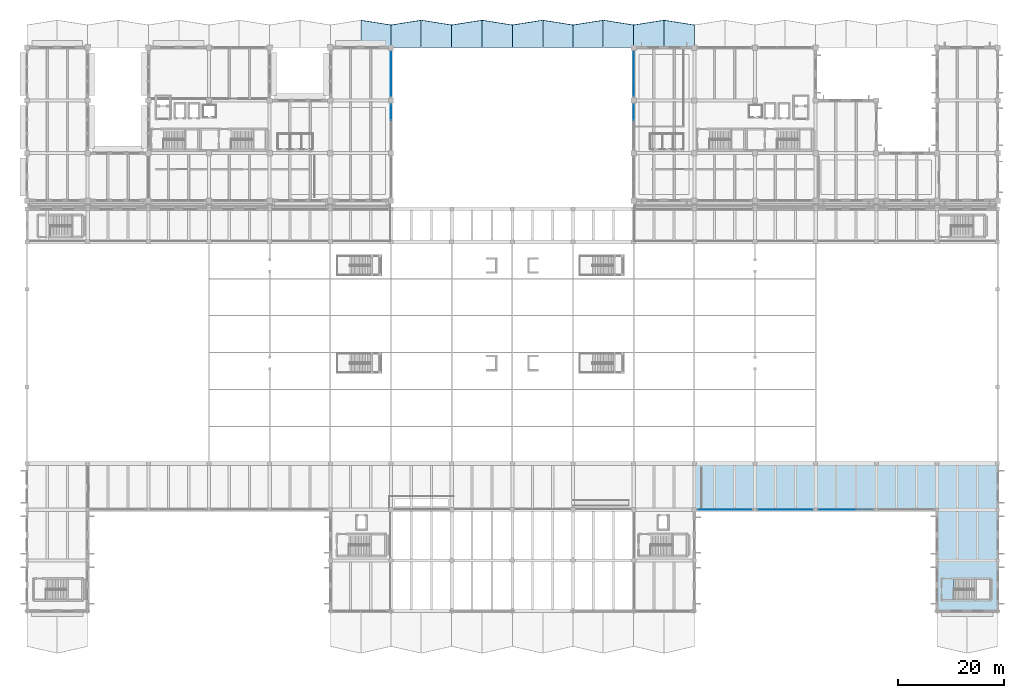
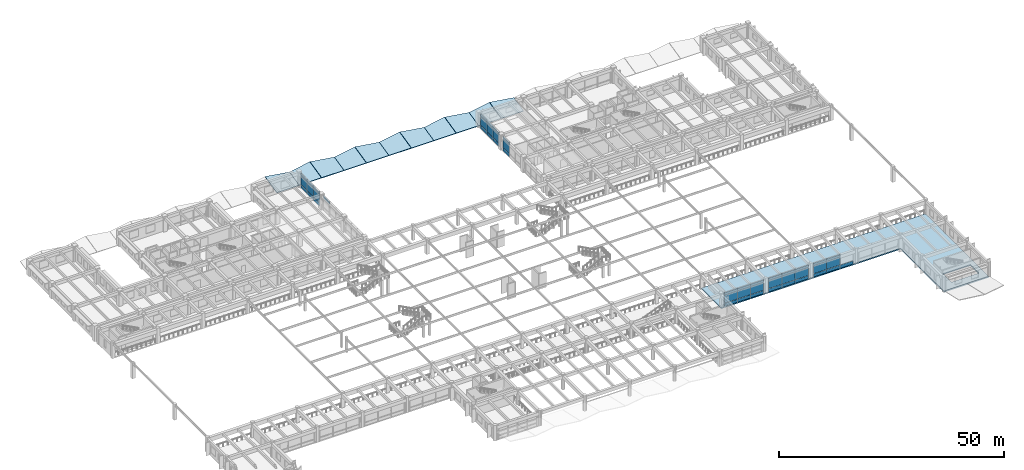
# One storey, part 67 of 98: 47 plates, 12 slabs, 7 elements without a shape of their own.
"""IFC4 building model written with IfcOpenShell, lengths in metres."""

from ifc_helpers import new_model, si_unit, direction, frame, origin, origin_2d, place, context, subcontext, project, spatial, polyline, rectangle, outline, extrude, material, layer, layer_set, type_object, element, aggregate, save


model = new_model("IFC4")

# Units and contexts
model_context = context("Model", 3, precision=1e-05, world=origin(), true_north=direction((0.0, 1.0)))
body_context = subcontext(model_context, "Body", "Model", "MODEL_VIEW")
ifc_project = project(units=[si_unit("LENGTHUNIT", "METRE"), si_unit("AREAUNIT", "SQUARE_METRE"), si_unit("VOLUMEUNIT", "CUBIC_METRE"), si_unit("PLANEANGLEUNIT", "RADIAN"), si_unit("MASSUNIT", "GRAM", prefix="KILO")], contexts=[model_context])

# Site, building, storey
site_placement = place(None, origin())
site = spatial("IfcSite", under=ifc_project, at=site_placement, CompositionType="ELEMENT")
building_placement = place(site_placement, origin())
building = spatial("IfcBuilding", under=site, at=building_placement, Name="Ologun Quay Terminus", CompositionType="ELEMENT")
storey_placement = place(building_placement, frame((0.0, 0.0, 4.199951171875)))
storey = spatial("IfcBuildingStorey", under=building, at=storey_placement, Name="L01", CompositionType="ELEMENT", Elevation=4.199951171875)

# Curtain wall, plates
ifc_material_1 = material(Name="Aluminium 6063-T6", Category="aluminium")
curtain_wall_type_1 = type_object("IfcCurtainWallType", Name="Rain-Garden West Courtyard Curtain Wall L01 8200x3850", PredefinedType="USERDEFINED", material=ifc_material_1)
curtain_wall_1_placement = place(storey_placement, origin())
curtain_wall_1 = element("IfcCurtainWall", 1, at=curtain_wall_1_placement, inside=storey, type_object=curtain_wall_type_1, Name="CW-14 Curtain Wall CW-L01-101", ObjectType="UNITISED CURTAIN WALL", PredefinedType="USERDEFINED")
ifc_material_2 = material(Name="Aluminium 6063-T6", Category="aluminium")
ifc_layer_1 = layer(ifc_material_2, 0.06005859375)
ifc_layer_set_1 = layer_set([ifc_layer_1], Name="Aluminium 6063-T6")
plate_type_1 = type_object("IfcPlateType", Name="Anodised Bronze Spandrel Panel 60", PredefinedType="CURTAIN_PANEL", material=ifc_layer_set_1)
plate_1_placement = place(storey_placement, frame((69.0, 107.046630859375, 0.02978515625), z_axis=(0.0, 0.0, 1.0), x_axis=(0.0, 1.0, 0.0)))
plate_1 = element("IfcPlate", 2, at=plate_1_placement, type_object=plate_type_1, Name="CW-L01-101 Panel B1-1", PredefinedType="CURTAIN_PANEL", context=body_context, shape_type="SweptSolid", body=[
    extrude(rectangle(XDim=2.75341796875, YDim=0.06005859375, at=origin_2d()), origin(), (0.0, 0.0, 1.0), 0.840087890625),
])
plate_2_placement = place(storey_placement, frame((69.0, 109.800048828125, 0.02978515625), z_axis=(0.0, 0.0, 1.0), x_axis=(0.0, 1.0, 0.0)))
plate_2 = element("IfcPlate", 3, at=plate_2_placement, type_object=plate_type_1, Name="CW-L01-101 Panel B2-1", PredefinedType="CURTAIN_PANEL", context=body_context, shape_type="SweptSolid", body=[
    extrude(rectangle(XDim=2.75341796875, YDim=0.06005859375, at=origin_2d()), origin(), (0.0, 0.0, 1.0), 0.840087890625),
])
plate_3_placement = place(storey_placement, frame((69.0, 112.55322265625, 0.02978515625), z_axis=(0.0, 0.0, 1.0), x_axis=(0.0, 1.0, 0.0)))
plate_3 = element("IfcPlate", 4, at=plate_3_placement, type_object=plate_type_1, Name="CW-L01-101 Panel B3-1", PredefinedType="CURTAIN_PANEL", context=body_context, shape_type="SweptSolid", body=[
    extrude(rectangle(XDim=2.75341796875, YDim=0.06005859375, at=origin_2d()), origin(), (0.0, 0.0, 1.0), 0.840087890625),
])

# Slabs
ifc_material_3 = material(Name="Concrete C45/55", Category="concrete")
ifc_layer_2 = layer(ifc_material_3, 0.179931640625)
ifc_layer_set_2 = layer_set([ifc_layer_2], Name="Concrete C45/55")
slab_type_1 = type_object("IfcSlabType", Name="Folded Plate Concrete Canopy Slab 180", PredefinedType="ROOF", material=ifc_layer_set_2)
slab_1_placement = place(storey_placement, frame((63.280029296875, 114.800048828125, 0.199951171875), z_axis=(5.421977e-06, -0.224890596449, 0.974384020599), x_axis=(0.999999999985, 1.219352e-06, -5.283088e-06)))
element("IfcSlab", 5, at=slab_1_placement, inside=storey, type_object=slab_type_1, Name="SL-CNP Harbour Colonnade Canopy Bay 6E", PredefinedType="ROOF", context=body_context, shape_type="SweptSolid", body=[
    extrude(outline(polyline([(0.0, 0.0), (5.719970703040922, -1.2112509107190553e-21), (5.719970703209078, 4.413087409581979), (-1.6815478267274492e-10, 5.336661969533888), (0.0, 0.0)])), origin(), (0.0, 0.0, -1.0), 0.179931640625),
])
slab_2_placement = place(storey_placement, frame((69.0, 114.800048828125, 0.199951171875), z_axis=(-5.421977e-06, -0.224890596449, 0.974384020599), x_axis=(0.999999999985, -1.219352e-06, 5.283088e-06)))
element("IfcSlab", 6, at=slab_2_placement, inside=storey, type_object=slab_type_1, Name="SL-CNP Harbour Colonnade Canopy Bay 7W", PredefinedType="ROOF", context=body_context, shape_type="SweptSolid", body=[
    extrude(outline(polyline([(0.0, 0.0), (5.719970703040922, 1.2112509107190553e-21), (5.719970703209077, 5.336661969533888), (-1.6815478267274492e-10, 4.413087409581979), (0.0, 0.0)])), origin(), (0.0, 0.0, -1.0), 0.179931640625),
])
slab_3_placement = place(storey_placement, frame((74.780029296875, 114.800048828125, 0.199951171875), z_axis=(5.421977e-06, -0.224890596449, 0.974384020599), x_axis=(0.999999999985, 1.219352e-06, -5.283088e-06)))
element("IfcSlab", 7, at=slab_3_placement, inside=storey, type_object=slab_type_1, Name="SL-CNP Harbour Colonnade Canopy Bay 7E", PredefinedType="ROOF", context=body_context, shape_type="SweptSolid", body=[
    extrude(outline(polyline([(0.0, 0.0), (5.719970703040922, -1.2112509107190553e-21), (5.719970703209078, 4.413087409581979), (-1.6815478267274492e-10, 5.336661969533888), (0.0, 0.0)])), origin(), (0.0, 0.0, -1.0), 0.179931640625),
])
slab_4_placement = place(storey_placement, frame((80.5, 114.800048828125, 0.199951171875), z_axis=(-5.421977e-06, -0.224890596449, 0.974384020599), x_axis=(0.999999999985, -1.219352e-06, 5.283088e-06)))
element("IfcSlab", 8, at=slab_4_placement, inside=storey, type_object=slab_type_1, Name="SL-CNP Harbour Colonnade Canopy Bay 8W", PredefinedType="ROOF", context=body_context, shape_type="SweptSolid", body=[
    extrude(outline(polyline([(0.0, 0.0), (5.719970703040922, 1.2112509107190553e-21), (5.719970703209077, 5.336661969533888), (-1.6815478267274492e-10, 4.413087409581979), (0.0, 0.0)])), origin(), (0.0, 0.0, -1.0), 0.179931640625),
])
slab_5_placement = place(storey_placement, frame((86.280029296875, 114.800048828125, 0.199951171875), z_axis=(5.421977e-06, -0.224890596449, 0.974384020599), x_axis=(0.999999999985, 1.219352e-06, -5.283088e-06)))
element("IfcSlab", 9, at=slab_5_placement, inside=storey, type_object=slab_type_1, Name="SL-CNP Harbour Colonnade Canopy Bay 8E", PredefinedType="ROOF", context=body_context, shape_type="SweptSolid", body=[
    extrude(outline(polyline([(0.0, 0.0), (5.719970703040922, -1.2112509107190553e-21), (5.719970703209078, 4.413087409581979), (-1.6815478267274492e-10, 5.336661969533888), (0.0, 0.0)])), origin(), (0.0, 0.0, -1.0), 0.179931640625),
])
slab_6_placement = place(storey_placement, frame((92.0, 114.800048828125, 0.199951171875), z_axis=(-5.421977e-06, -0.224890596449, 0.974384020599), x_axis=(0.999999999985, -1.219352e-06, 5.283088e-06)))
element("IfcSlab", 10, at=slab_6_placement, inside=storey, type_object=slab_type_1, Name="SL-CNP Harbour Colonnade Canopy Bay 9W", PredefinedType="ROOF", context=body_context, shape_type="SweptSolid", body=[
    extrude(outline(polyline([(0.0, 0.0), (5.719970703040922, 1.2112509107190553e-21), (5.719970703209077, 5.336661969533888), (-1.6815478267274492e-10, 4.413087409581979), (0.0, 0.0)])), origin(), (0.0, 0.0, -1.0), 0.179931640625),
])
slab_7_placement = place(storey_placement, frame((97.780029296875, 114.800048828125, 0.199951171875), z_axis=(5.421977e-06, -0.224890596449, 0.974384020599), x_axis=(0.999999999985, 1.219352e-06, -5.283088e-06)))
element("IfcSlab", 11, at=slab_7_placement, inside=storey, type_object=slab_type_1, Name="SL-CNP Harbour Colonnade Canopy Bay 9E", PredefinedType="ROOF", context=body_context, shape_type="SweptSolid", body=[
    extrude(outline(polyline([(0.0, 0.0), (5.719970703040922, -1.2112509107190553e-21), (5.719970703209078, 4.413087409581979), (-1.6815478267274492e-10, 5.336661969533888), (0.0, 0.0)])), origin(), (0.0, 0.0, -1.0), 0.179931640625),
])
slab_8_placement = place(storey_placement, frame((103.5, 114.800048828125, 0.199951171875), z_axis=(-5.421977e-06, -0.224890596449, 0.974384020599), x_axis=(0.999999999985, -1.219352e-06, 5.283088e-06)))
element("IfcSlab", 12, at=slab_8_placement, inside=storey, type_object=slab_type_1, Name="SL-CNP Harbour Colonnade Canopy Bay 10W", PredefinedType="ROOF", context=body_context, shape_type="SweptSolid", body=[
    extrude(outline(polyline([(0.0, 0.0), (5.719970703040922, 1.2112509107190553e-21), (5.719970703209077, 5.336661969533888), (-1.6815478267274492e-10, 4.413087409581979), (0.0, 0.0)])), origin(), (0.0, 0.0, -1.0), 0.179931640625),
])
slab_9_placement = place(storey_placement, frame((109.280029296875, 114.800048828125, 0.199951171875), z_axis=(5.421977e-06, -0.224890596449, 0.974384020599), x_axis=(0.999999999985, 1.219352e-06, -5.283088e-06)))
element("IfcSlab", 13, at=slab_9_placement, inside=storey, type_object=slab_type_1, Name="SL-CNP Harbour Colonnade Canopy Bay 10E", PredefinedType="ROOF", context=body_context, shape_type="SweptSolid", body=[
    extrude(outline(polyline([(0.0, 0.0), (5.719970703040922, -1.2112509107190553e-21), (5.719970703209078, 4.413087409581979), (-1.6815478267274492e-10, 5.336661969533888), (0.0, 0.0)])), origin(), (0.0, 0.0, -1.0), 0.179931640625),
])
slab_10_placement = place(storey_placement, frame((115.0, 114.800048828125, 0.199951171875), z_axis=(-5.421977e-06, -0.224890596449, 0.974384020599), x_axis=(0.999999999985, -1.219352e-06, 5.283088e-06)))
element("IfcSlab", 14, at=slab_10_placement, inside=storey, type_object=slab_type_1, Name="SL-CNP Harbour Colonnade Canopy Bay 11W", PredefinedType="ROOF", context=body_context, shape_type="SweptSolid", body=[
    extrude(outline(polyline([(0.0, 0.0), (5.719970703040922, 1.2112509107190553e-21), (5.719970703209077, 5.336661969533888), (-1.6815478267274492e-10, 4.413087409581979), (0.0, 0.0)])), origin(), (0.0, 0.0, -1.0), 0.179931640625),
])
slab_11_placement = place(storey_placement, frame((120.780029296875, 114.800048828125, 0.199951171875), z_axis=(5.421977e-06, -0.224890596449, 0.974384020599), x_axis=(0.999999999985, 1.219352e-06, -5.283088e-06)))
element("IfcSlab", 15, at=slab_11_placement, inside=storey, type_object=slab_type_1, Name="SL-CNP Harbour Colonnade Canopy Bay 11E", PredefinedType="ROOF", context=body_context, shape_type="SweptSolid", body=[
    extrude(outline(polyline([(0.0, 0.0), (5.719970703040922, -1.2112509107190553e-21), (5.719970703209078, 4.413087409581979), (-1.6815478267274492e-10, 5.336661969533888), (0.0, 0.0)])), origin(), (0.0, 0.0, -1.0), 0.179931640625),
])

# Curtain wall, plate
curtain_wall_2_placement = place(storey_placement, origin())
curtain_wall_2 = element("IfcCurtainWall", 16, at=curtain_wall_2_placement, inside=storey, type_object=curtain_wall_type_1, Name="CW-14 Curtain Wall CW-L01-100", ObjectType="UNITISED CURTAIN WALL", PredefinedType="USERDEFINED")
ifc_material_4 = material(Name="Glass", Category="glass")
ifc_layer_3 = layer(ifc_material_4, 0.035888671875)
ifc_layer_set_3 = layer_set([ifc_layer_3], Name="Glass")
plate_type_2 = type_object("IfcPlateType", Name="High-Selectivity Harbour Glazed Panel 36", PredefinedType="CURTAIN_PANEL", material=ifc_layer_set_3)
plate_4_placement = place(storey_placement, frame((69.0, 102.55322265625, 3.26025390625), z_axis=(0.0, 0.0, 1.0), x_axis=(0.0, 1.0, 0.0)))
plate_4 = element("IfcPlate", 17, at=plate_4_placement, type_object=plate_type_2, Name="CW-L01-100 Panel B3-3", PredefinedType="CURTAIN_PANEL", context=body_context, shape_type="SweptSolid", body=[
    extrude(rectangle(XDim=2.75341796875, YDim=0.035888671875, at=origin_2d()), origin(), (0.0, 0.0, 1.0), 0.639892578125),
])
aggregate(curtain_wall_2, [plate_4])

# Plate
plate_5_placement = place(storey_placement, frame((69.0, 107.046630859375, 0.929931640625), z_axis=(0.0, 0.0, 1.0), x_axis=(0.0, 1.0, 0.0)))
plate_5 = element("IfcPlate", 18, at=plate_5_placement, type_object=plate_type_2, Name="CW-L01-101 Panel B1-2", PredefinedType="CURTAIN_PANEL", context=body_context, shape_type="SweptSolid", body=[
    extrude(rectangle(XDim=2.75341796875, YDim=0.035888671875, at=origin_2d()), origin(), (0.0, 0.0, 1.0), 2.27001953125),
])

plate_6_placement = place(storey_placement, frame((69.0, 107.046630859375, 3.26025390625), z_axis=(0.0, 0.0, 1.0), x_axis=(0.0, 1.0, 0.0)))
plate_6 = element("IfcPlate", 19, at=plate_6_placement, type_object=plate_type_2, Name="CW-L01-101 Panel B1-3", PredefinedType="CURTAIN_PANEL", context=body_context, shape_type="SweptSolid", body=[
    extrude(rectangle(XDim=2.75341796875, YDim=0.035888671875, at=origin_2d()), origin(), (0.0, 0.0, 1.0), 0.639892578125),
])

plate_7_placement = place(storey_placement, frame((69.0, 109.800048828125, 0.929931640625), z_axis=(0.0, 0.0, 1.0), x_axis=(0.0, 1.0, 0.0)))
plate_7 = element("IfcPlate", 20, at=plate_7_placement, type_object=plate_type_2, Name="CW-L01-101 Panel B2-2", PredefinedType="CURTAIN_PANEL", context=body_context, shape_type="SweptSolid", body=[
    extrude(rectangle(XDim=2.75341796875, YDim=0.035888671875, at=origin_2d()), origin(), (0.0, 0.0, 1.0), 2.27001953125),
])

plate_8_placement = place(storey_placement, frame((69.0, 109.800048828125, 3.26025390625), z_axis=(0.0, 0.0, 1.0), x_axis=(0.0, 1.0, 0.0)))
plate_8 = element("IfcPlate", 21, at=plate_8_placement, type_object=plate_type_2, Name="CW-L01-101 Panel B2-3", PredefinedType="CURTAIN_PANEL", context=body_context, shape_type="SweptSolid", body=[
    extrude(rectangle(XDim=2.75341796875, YDim=0.035888671875, at=origin_2d()), origin(), (0.0, 0.0, 1.0), 0.639892578125),
])

plate_9_placement = place(storey_placement, frame((69.0, 112.55322265625, 0.929931640625), z_axis=(0.0, 0.0, 1.0), x_axis=(0.0, 1.0, 0.0)))
plate_9 = element("IfcPlate", 22, at=plate_9_placement, type_object=plate_type_2, Name="CW-L01-101 Panel B3-2", PredefinedType="CURTAIN_PANEL", context=body_context, shape_type="SweptSolid", body=[
    extrude(rectangle(XDim=2.75341796875, YDim=0.035888671875, at=origin_2d()), origin(), (0.0, 0.0, 1.0), 2.27001953125),
])

plate_10_placement = place(storey_placement, frame((69.0, 112.55322265625, 3.26025390625), z_axis=(0.0, 0.0, 1.0), x_axis=(0.0, 1.0, 0.0)))
plate_10 = element("IfcPlate", 23, at=plate_10_placement, type_object=plate_type_2, Name="CW-L01-101 Panel B3-3", PredefinedType="CURTAIN_PANEL", context=body_context, shape_type="SweptSolid", body=[
    extrude(rectangle(XDim=2.75341796875, YDim=0.035888671875, at=origin_2d()), origin(), (0.0, 0.0, 1.0), 0.639892578125),
])

aggregate(curtain_wall_1, [plate_1, plate_5, plate_6, plate_2, plate_7, plate_8, plate_3, plate_9, plate_10])

# Curtain wall, plates
ifc_material_5 = material(Name="Aluminium 6063-T6", Category="aluminium")
curtain_wall_type_2 = type_object("IfcCurtainWallType", Name="Rain-Garden East Courtyard Curtain Wall L01 9200x3850", PredefinedType="USERDEFINED", material=ifc_material_5)
curtain_wall_3_placement = place(storey_placement, origin())
curtain_wall_3 = element("IfcCurtainWall", 24, at=curtain_wall_3_placement, inside=storey, type_object=curtain_wall_type_2, Name="CW-18 Curtain Wall CW-L01-129", ObjectType="UNITISED CURTAIN WALL", PredefinedType="USERDEFINED")
plate_11_placement = place(storey_placement, frame((115.0, 102.55322265625, 0.929931640625), z_axis=(0.0, 0.0, 1.0), x_axis=(0.0, 1.0, 0.0)))
plate_11 = element("IfcPlate", 25, at=plate_11_placement, type_object=plate_type_2, Name="CW-L01-129 Panel B3-2", PredefinedType="CURTAIN_PANEL", context=body_context, shape_type="SweptSolid", body=[
    extrude(rectangle(XDim=2.75341796875, YDim=0.035888671875, at=origin_2d()), origin(), (0.0, 0.0, 1.0), 2.27001953125),
])
plate_12_placement = place(storey_placement, frame((115.0, 102.55322265625, 3.26025390625), z_axis=(0.0, 0.0, 1.0), x_axis=(0.0, 1.0, 0.0)))
plate_12 = element("IfcPlate", 26, at=plate_12_placement, type_object=plate_type_2, Name="CW-L01-129 Panel B3-3", PredefinedType="CURTAIN_PANEL", context=body_context, shape_type="SweptSolid", body=[
    extrude(rectangle(XDim=2.75341796875, YDim=0.035888671875, at=origin_2d()), origin(), (0.0, 0.0, 1.0), 0.639892578125),
])

curtain_wall_4_placement = place(storey_placement, origin())
curtain_wall_4 = element("IfcCurtainWall", 27, at=curtain_wall_4_placement, inside=storey, type_object=curtain_wall_type_2, Name="CW-18 Curtain Wall CW-L01-130", ObjectType="UNITISED CURTAIN WALL", PredefinedType="USERDEFINED")
plate_13_placement = place(storey_placement, frame((115.0, 107.046630859375, 0.929931640625), z_axis=(0.0, 0.0, 1.0), x_axis=(0.0, 1.0, 0.0)))
plate_13 = element("IfcPlate", 28, at=plate_13_placement, type_object=plate_type_2, Name="CW-L01-130 Panel B1-2", PredefinedType="CURTAIN_PANEL", context=body_context, shape_type="SweptSolid", body=[
    extrude(rectangle(XDim=2.75341796875, YDim=0.035888671875, at=origin_2d()), origin(), (0.0, 0.0, 1.0), 2.27001953125),
])
plate_14_placement = place(storey_placement, frame((115.0, 107.046630859375, 3.26025390625), z_axis=(0.0, 0.0, 1.0), x_axis=(0.0, 1.0, 0.0)))
plate_14 = element("IfcPlate", 29, at=plate_14_placement, type_object=plate_type_2, Name="CW-L01-130 Panel B1-3", PredefinedType="CURTAIN_PANEL", context=body_context, shape_type="SweptSolid", body=[
    extrude(rectangle(XDim=2.75341796875, YDim=0.035888671875, at=origin_2d()), origin(), (0.0, 0.0, 1.0), 0.639892578125),
])
plate_15_placement = place(storey_placement, frame((115.0, 109.800048828125, 0.929931640625), z_axis=(0.0, 0.0, 1.0), x_axis=(0.0, 1.0, 0.0)))
plate_15 = element("IfcPlate", 30, at=plate_15_placement, type_object=plate_type_2, Name="CW-L01-130 Panel B2-2", PredefinedType="CURTAIN_PANEL", context=body_context, shape_type="SweptSolid", body=[
    extrude(rectangle(XDim=2.75341796875, YDim=0.035888671875, at=origin_2d()), origin(), (0.0, 0.0, 1.0), 2.27001953125),
])
plate_16_placement = place(storey_placement, frame((115.0, 109.800048828125, 3.26025390625), z_axis=(0.0, 0.0, 1.0), x_axis=(0.0, 1.0, 0.0)))
plate_16 = element("IfcPlate", 31, at=plate_16_placement, type_object=plate_type_2, Name="CW-L01-130 Panel B2-3", PredefinedType="CURTAIN_PANEL", context=body_context, shape_type="SweptSolid", body=[
    extrude(rectangle(XDim=2.75341796875, YDim=0.035888671875, at=origin_2d()), origin(), (0.0, 0.0, 1.0), 0.639892578125),
])
plate_17_placement = place(storey_placement, frame((115.0, 112.55322265625, 0.929931640625), z_axis=(0.0, 0.0, 1.0), x_axis=(0.0, 1.0, 0.0)))
plate_17 = element("IfcPlate", 32, at=plate_17_placement, type_object=plate_type_2, Name="CW-L01-130 Panel B3-2", PredefinedType="CURTAIN_PANEL", context=body_context, shape_type="SweptSolid", body=[
    extrude(rectangle(XDim=2.75341796875, YDim=0.035888671875, at=origin_2d()), origin(), (0.0, 0.0, 1.0), 2.27001953125),
])
plate_18_placement = place(storey_placement, frame((115.0, 112.55322265625, 3.26025390625), z_axis=(0.0, 0.0, 1.0), x_axis=(0.0, 1.0, 0.0)))
plate_18 = element("IfcPlate", 33, at=plate_18_placement, type_object=plate_type_2, Name="CW-L01-130 Panel B3-3", PredefinedType="CURTAIN_PANEL", context=body_context, shape_type="SweptSolid", body=[
    extrude(rectangle(XDim=2.75341796875, YDim=0.035888671875, at=origin_2d()), origin(), (0.0, 0.0, 1.0), 0.639892578125),
])

ifc_material_6 = material(Name="Aluminium 6063-T6", Category="aluminium")
curtain_wall_type_3 = type_object("IfcCurtainWallType", Name="Forecourt Mezzanine Curtain Wall 10700x3850", PredefinedType="USERDEFINED", material=ifc_material_6)
curtain_wall_5_placement = place(storey_placement, origin())
curtain_wall_5 = element("IfcCurtainWall", 34, at=curtain_wall_5_placement, inside=storey, type_object=curtain_wall_type_3, Name="CW-04 Curtain Wall CW-L01-016", ObjectType="UNITISED CURTAIN WALL", PredefinedType="USERDEFINED")
ifc_material_7 = material(Name="Aluminium 6063-T6", Category="aluminium")
ifc_layer_4 = layer(ifc_material_7, 0.050048828125)
ifc_layer_set_4 = layer_set([ifc_layer_4], Name="Aluminium 6063-T6")
plate_type_3 = type_object("IfcPlateType", Name="Insulated Aluminium Shadow-Box Spandrel 50", PredefinedType="CURTAIN_PANEL", material=ifc_layer_set_4)
plate_19_placement = place(storey_placement, frame((128.98828125, 27.199951171875, 0.02978515625), z_axis=(0.0, 0.0, 1.0), x_axis=(1.0, 0.0, 0.0)))
plate_19 = element("IfcPlate", 35, at=plate_19_placement, type_object=plate_type_3, Name="CW-L01-016 Panel B1-1", PredefinedType="CURTAIN_PANEL", context=body_context, shape_type="SweptSolid", body=[
    extrude(rectangle(XDim=3.336669921875, YDim=0.050048828125, at=origin_2d()), origin(), (0.0, 0.0, 1.0), 0.840087890625),
])
plate_20_placement = place(storey_placement, frame((132.324951171875, 27.199951171875, 0.02978515625), z_axis=(0.0, 0.0, 1.0), x_axis=(1.0, 0.0, 0.0)))
plate_20 = element("IfcPlate", 36, at=plate_20_placement, type_object=plate_type_3, Name="CW-L01-016 Panel B2-1", PredefinedType="CURTAIN_PANEL", context=body_context, shape_type="SweptSolid", body=[
    extrude(rectangle(XDim=3.336669921875, YDim=0.050048828125, at=origin_2d()), origin(), (0.0, 0.0, 1.0), 0.840087890625),
])
plate_21_placement = place(storey_placement, frame((135.66162109375, 27.199951171875, 0.02978515625), z_axis=(0.0, 0.0, 1.0), x_axis=(1.0, 0.0, 0.0)))
plate_21 = element("IfcPlate", 37, at=plate_21_placement, type_object=plate_type_3, Name="CW-L01-016 Panel B3-1", PredefinedType="CURTAIN_PANEL", context=body_context, shape_type="SweptSolid", body=[
    extrude(rectangle(XDim=3.336669921875, YDim=0.050048828125, at=origin_2d()), origin(), (0.0, 0.0, 1.0), 0.840087890625),
])

curtain_wall_6_placement = place(storey_placement, origin())
curtain_wall_6 = element("IfcCurtainWall", 38, at=curtain_wall_6_placement, inside=storey, type_object=curtain_wall_type_3, Name="CW-04 Curtain Wall CW-L01-017", ObjectType="UNITISED CURTAIN WALL", PredefinedType="USERDEFINED")
plate_22_placement = place(storey_placement, frame((140.36328125, 27.199951171875, 0.02978515625), z_axis=(0.0, 0.0, 1.0), x_axis=(1.0, 0.0, 0.0)))
plate_22 = element("IfcPlate", 39, at=plate_22_placement, type_object=plate_type_3, Name="CW-L01-017 Panel B1-1", PredefinedType="CURTAIN_PANEL", context=body_context, shape_type="SweptSolid", body=[
    extrude(rectangle(XDim=3.38671875, YDim=0.050048828125, at=origin_2d()), origin(), (0.0, 0.0, 1.0), 0.840087890625),
])
plate_23_placement = place(storey_placement, frame((143.75, 27.199951171875, 0.02978515625), z_axis=(0.0, 0.0, 1.0), x_axis=(1.0, 0.0, 0.0)))
plate_23 = element("IfcPlate", 40, at=plate_23_placement, type_object=plate_type_3, Name="CW-L01-017 Panel B2-1", PredefinedType="CURTAIN_PANEL", context=body_context, shape_type="SweptSolid", body=[
    extrude(rectangle(XDim=3.38671875, YDim=0.050048828125, at=origin_2d()), origin(), (0.0, 0.0, 1.0), 0.840087890625),
])
plate_24_placement = place(storey_placement, frame((147.13671875, 27.199951171875, 0.02978515625), z_axis=(0.0, 0.0, 1.0), x_axis=(1.0, 0.0, 0.0)))
plate_24 = element("IfcPlate", 41, at=plate_24_placement, type_object=plate_type_3, Name="CW-L01-017 Panel B3-1", PredefinedType="CURTAIN_PANEL", context=body_context, shape_type="SweptSolid", body=[
    extrude(rectangle(XDim=3.38671875, YDim=0.050048828125, at=origin_2d()), origin(), (0.0, 0.0, 1.0), 0.840087890625),
])

curtain_wall_7_placement = place(storey_placement, origin())
curtain_wall_7 = element("IfcCurtainWall", 42, at=curtain_wall_7_placement, inside=storey, type_object=curtain_wall_type_3, Name="CW-04 Curtain Wall CW-L01-018", ObjectType="UNITISED CURTAIN WALL", PredefinedType="USERDEFINED")
plate_25_placement = place(storey_placement, frame((151.86328125, 27.199951171875, 0.02978515625), z_axis=(0.0, 0.0, 1.0), x_axis=(1.0, 0.0, 0.0)))
plate_25 = element("IfcPlate", 43, at=plate_25_placement, type_object=plate_type_3, Name="CW-L01-018 Panel B1-1", PredefinedType="CURTAIN_PANEL", context=body_context, shape_type="SweptSolid", body=[
    extrude(rectangle(XDim=3.38671875, YDim=0.050048828125, at=origin_2d()), origin(), (0.0, 0.0, 1.0), 0.840087890625),
])
plate_26_placement = place(storey_placement, frame((155.25, 27.199951171875, 0.02978515625), z_axis=(0.0, 0.0, 1.0), x_axis=(1.0, 0.0, 0.0)))
plate_26 = element("IfcPlate", 44, at=plate_26_placement, type_object=plate_type_3, Name="CW-L01-018 Panel B2-1", PredefinedType="CURTAIN_PANEL", context=body_context, shape_type="SweptSolid", body=[
    extrude(rectangle(XDim=3.38671875, YDim=0.050048828125, at=origin_2d()), origin(), (0.0, 0.0, 1.0), 0.840087890625),
])
plate_27_placement = place(storey_placement, frame((158.63671875, 27.199951171875, 0.02978515625), z_axis=(0.0, 0.0, 1.0), x_axis=(1.0, 0.0, 0.0)))
plate_27 = element("IfcPlate", 45, at=plate_27_placement, type_object=plate_type_3, Name="CW-L01-018 Panel B3-1", PredefinedType="CURTAIN_PANEL", context=body_context, shape_type="SweptSolid", body=[
    extrude(rectangle(XDim=3.38671875, YDim=0.050048828125, at=origin_2d()), origin(), (0.0, 0.0, 1.0), 0.840087890625),
])

# Plate
plate_28_placement = place(storey_placement, frame((115.0, 102.55322265625, 0.02978515625), z_axis=(0.0, 0.0, 1.0), x_axis=(0.0, 1.0, 0.0)))
plate_28 = element("IfcPlate", 46, at=plate_28_placement, type_object=plate_type_3, Name="CW-L01-129 Panel B3-1", PredefinedType="CURTAIN_PANEL", context=body_context, shape_type="SweptSolid", body=[
    extrude(rectangle(XDim=2.75341796875, YDim=0.050048828125, at=origin_2d()), origin(), (0.0, 0.0, 1.0), 0.840087890625),
])

aggregate(curtain_wall_3, [plate_28, plate_11, plate_12])

plate_29_placement = place(storey_placement, frame((115.0, 107.046630859375, 0.02978515625), z_axis=(0.0, 0.0, 1.0), x_axis=(0.0, 1.0, 0.0)))
plate_29 = element("IfcPlate", 47, at=plate_29_placement, type_object=plate_type_3, Name="CW-L01-130 Panel B1-1", PredefinedType="CURTAIN_PANEL", context=body_context, shape_type="SweptSolid", body=[
    extrude(rectangle(XDim=2.75341796875, YDim=0.050048828125, at=origin_2d()), origin(), (0.0, 0.0, 1.0), 0.840087890625),
])

plate_30_placement = place(storey_placement, frame((115.0, 109.800048828125, 0.02978515625), z_axis=(0.0, 0.0, 1.0), x_axis=(0.0, 1.0, 0.0)))
plate_30 = element("IfcPlate", 48, at=plate_30_placement, type_object=plate_type_3, Name="CW-L01-130 Panel B2-1", PredefinedType="CURTAIN_PANEL", context=body_context, shape_type="SweptSolid", body=[
    extrude(rectangle(XDim=2.75341796875, YDim=0.050048828125, at=origin_2d()), origin(), (0.0, 0.0, 1.0), 0.840087890625),
])

plate_31_placement = place(storey_placement, frame((115.0, 112.55322265625, 0.02978515625), z_axis=(0.0, 0.0, 1.0), x_axis=(0.0, 1.0, 0.0)))
plate_31 = element("IfcPlate", 49, at=plate_31_placement, type_object=plate_type_3, Name="CW-L01-130 Panel B3-1", PredefinedType="CURTAIN_PANEL", context=body_context, shape_type="SweptSolid", body=[
    extrude(rectangle(XDim=2.75341796875, YDim=0.050048828125, at=origin_2d()), origin(), (0.0, 0.0, 1.0), 0.840087890625),
])

aggregate(curtain_wall_4, [plate_29, plate_13, plate_14, plate_30, plate_15, plate_16, plate_31, plate_17, plate_18])

# Slab
ifc_material_8 = material(Name="Concrete C40/50", Category="concrete")
ifc_layer_5 = layer(ifc_material_8, 0.300048828125)
ifc_layer_set_5 = layer_set([ifc_layer_5], Name="Concrete C40/50")
slab_type_2 = type_object("IfcSlabType", Name="Passenger Platform Deck Slab 300", PredefinedType="FLOOR", material=ifc_layer_set_5)
slab_12_placement = place(storey_placement, frame((0.0, 0.0, -0.300048828125)))
element("IfcSlab", 50, at=slab_12_placement, inside=storey, type_object=slab_type_2, Name="SL-PLT South Mezzanine Slab 3", PredefinedType="FLOOR", context=body_context, shape_type="SweptSolid", body=[
    extrude(outline(polyline([(126.5, 27.199951171875), (172.5, 27.199951171875), (172.5, 8.0), (184.0, 8.0), (184.0, 36.0), (126.5, 36.0), (126.5, 27.199951171875)]), holes=[polyline([(175.72998046875, 10.199951171875), (175.72998046875, 14.0), (182.75, 14.0), (182.75, 10.199951171875), (175.72998046875, 10.199951171875)])]), origin(), (0.0, 0.0, 1.0), 0.300048828125),
])

# Plate
ifc_material_9 = material(Name="Glass", Category="glass")
ifc_layer_6 = layer(ifc_material_9, 0.028076171875)
ifc_layer_set_6 = layer_set([ifc_layer_6], Name="Glass")
plate_type_4 = type_object("IfcPlateType", Name="Solar-Control Double Glazed Panel 28", PredefinedType="CURTAIN_PANEL", material=ifc_layer_set_6)
plate_32_placement = place(storey_placement, frame((128.98828125, 27.199951171875, 0.93017578125), z_axis=(0.0, 0.0, 1.0), x_axis=(1.0, 0.0, 0.0)))
plate_32 = element("IfcPlate", 51, at=plate_32_placement, type_object=plate_type_4, Name="CW-L01-016 Panel B1-2", PredefinedType="CURTAIN_PANEL", context=body_context, shape_type="SweptSolid", body=[
    extrude(rectangle(XDim=3.336669921875, YDim=0.028076171875, at=origin_2d()), origin(), (0.0, 0.0, 1.0), 2.179931640625),
])

plate_33_placement = place(storey_placement, frame((128.98828125, 27.199951171875, 3.169921875), z_axis=(0.0, 0.0, 1.0), x_axis=(1.0, 0.0, 0.0)))
plate_33 = element("IfcPlate", 52, at=plate_33_placement, type_object=plate_type_4, Name="CW-L01-016 Panel B1-3", PredefinedType="CURTAIN_PANEL", context=body_context, shape_type="SweptSolid", body=[
    extrude(rectangle(XDim=3.336669921875, YDim=0.028076171875, at=origin_2d()), origin(), (0.0, 0.0, 1.0), 0.639892578125),
])

plate_34_placement = place(storey_placement, frame((132.324951171875, 27.199951171875, 0.93017578125), z_axis=(0.0, 0.0, 1.0), x_axis=(1.0, 0.0, 0.0)))
plate_34 = element("IfcPlate", 53, at=plate_34_placement, type_object=plate_type_4, Name="CW-L01-016 Panel B2-2", PredefinedType="CURTAIN_PANEL", context=body_context, shape_type="SweptSolid", body=[
    extrude(rectangle(XDim=3.336669921875, YDim=0.028076171875, at=origin_2d()), origin(), (0.0, 0.0, 1.0), 2.179931640625),
])

plate_35_placement = place(storey_placement, frame((132.324951171875, 27.199951171875, 3.169921875), z_axis=(0.0, 0.0, 1.0), x_axis=(1.0, 0.0, 0.0)))
plate_35 = element("IfcPlate", 54, at=plate_35_placement, type_object=plate_type_4, Name="CW-L01-016 Panel B2-3", PredefinedType="CURTAIN_PANEL", context=body_context, shape_type="SweptSolid", body=[
    extrude(rectangle(XDim=3.336669921875, YDim=0.028076171875, at=origin_2d()), origin(), (0.0, 0.0, 1.0), 0.639892578125),
])

plate_36_placement = place(storey_placement, frame((135.66162109375, 27.199951171875, 0.93017578125), z_axis=(0.0, 0.0, 1.0), x_axis=(1.0, 0.0, 0.0)))
plate_36 = element("IfcPlate", 55, at=plate_36_placement, type_object=plate_type_4, Name="CW-L01-016 Panel B3-2", PredefinedType="CURTAIN_PANEL", context=body_context, shape_type="SweptSolid", body=[
    extrude(rectangle(XDim=3.336669921875, YDim=0.028076171875, at=origin_2d()), origin(), (0.0, 0.0, 1.0), 2.179931640625),
])

plate_37_placement = place(storey_placement, frame((135.66162109375, 27.199951171875, 3.169921875), z_axis=(0.0, 0.0, 1.0), x_axis=(1.0, 0.0, 0.0)))
plate_37 = element("IfcPlate", 56, at=plate_37_placement, type_object=plate_type_4, Name="CW-L01-016 Panel B3-3", PredefinedType="CURTAIN_PANEL", context=body_context, shape_type="SweptSolid", body=[
    extrude(rectangle(XDim=3.336669921875, YDim=0.028076171875, at=origin_2d()), origin(), (0.0, 0.0, 1.0), 0.639892578125),
])

aggregate(curtain_wall_5, [plate_19, plate_32, plate_33, plate_20, plate_34, plate_35, plate_21, plate_36, plate_37])

plate_38_placement = place(storey_placement, frame((140.36328125, 27.199951171875, 0.93017578125), z_axis=(0.0, 0.0, 1.0), x_axis=(1.0, 0.0, 0.0)))
plate_38 = element("IfcPlate", 57, at=plate_38_placement, type_object=plate_type_4, Name="CW-L01-017 Panel B1-2", PredefinedType="CURTAIN_PANEL", context=body_context, shape_type="SweptSolid", body=[
    extrude(rectangle(XDim=3.38671875, YDim=0.028076171875, at=origin_2d()), origin(), (0.0, 0.0, 1.0), 2.179931640625),
])

plate_39_placement = place(storey_placement, frame((140.36328125, 27.199951171875, 3.169921875), z_axis=(0.0, 0.0, 1.0), x_axis=(1.0, 0.0, 0.0)))
plate_39 = element("IfcPlate", 58, at=plate_39_placement, type_object=plate_type_4, Name="CW-L01-017 Panel B1-3", PredefinedType="CURTAIN_PANEL", context=body_context, shape_type="SweptSolid", body=[
    extrude(rectangle(XDim=3.38671875, YDim=0.028076171875, at=origin_2d()), origin(), (0.0, 0.0, 1.0), 0.639892578125),
])

plate_40_placement = place(storey_placement, frame((143.75, 27.199951171875, 0.93017578125), z_axis=(0.0, 0.0, 1.0), x_axis=(1.0, 0.0, 0.0)))
plate_40 = element("IfcPlate", 59, at=plate_40_placement, type_object=plate_type_4, Name="CW-L01-017 Panel B2-2", PredefinedType="CURTAIN_PANEL", context=body_context, shape_type="SweptSolid", body=[
    extrude(rectangle(XDim=3.38671875, YDim=0.028076171875, at=origin_2d()), origin(), (0.0, 0.0, 1.0), 2.179931640625),
])

plate_41_placement = place(storey_placement, frame((143.75, 27.199951171875, 3.169921875), z_axis=(0.0, 0.0, 1.0), x_axis=(1.0, 0.0, 0.0)))
plate_41 = element("IfcPlate", 60, at=plate_41_placement, type_object=plate_type_4, Name="CW-L01-017 Panel B2-3", PredefinedType="CURTAIN_PANEL", context=body_context, shape_type="SweptSolid", body=[
    extrude(rectangle(XDim=3.38671875, YDim=0.028076171875, at=origin_2d()), origin(), (0.0, 0.0, 1.0), 0.639892578125),
])

plate_42_placement = place(storey_placement, frame((147.13671875, 27.199951171875, 0.93017578125), z_axis=(0.0, 0.0, 1.0), x_axis=(1.0, 0.0, 0.0)))
plate_42 = element("IfcPlate", 61, at=plate_42_placement, type_object=plate_type_4, Name="CW-L01-017 Panel B3-2", PredefinedType="CURTAIN_PANEL", context=body_context, shape_type="SweptSolid", body=[
    extrude(rectangle(XDim=3.38671875, YDim=0.028076171875, at=origin_2d()), origin(), (0.0, 0.0, 1.0), 2.179931640625),
])

plate_43_placement = place(storey_placement, frame((147.13671875, 27.199951171875, 3.169921875), z_axis=(0.0, 0.0, 1.0), x_axis=(1.0, 0.0, 0.0)))
plate_43 = element("IfcPlate", 62, at=plate_43_placement, type_object=plate_type_4, Name="CW-L01-017 Panel B3-3", PredefinedType="CURTAIN_PANEL", context=body_context, shape_type="SweptSolid", body=[
    extrude(rectangle(XDim=3.38671875, YDim=0.028076171875, at=origin_2d()), origin(), (0.0, 0.0, 1.0), 0.639892578125),
])

aggregate(curtain_wall_6, [plate_22, plate_38, plate_39, plate_23, plate_40, plate_41, plate_24, plate_42, plate_43])

plate_44_placement = place(storey_placement, frame((151.86328125, 27.199951171875, 0.93017578125), z_axis=(0.0, 0.0, 1.0), x_axis=(1.0, 0.0, 0.0)))
plate_44 = element("IfcPlate", 63, at=plate_44_placement, type_object=plate_type_4, Name="CW-L01-018 Panel B1-2", PredefinedType="CURTAIN_PANEL", context=body_context, shape_type="SweptSolid", body=[
    extrude(rectangle(XDim=3.38671875, YDim=0.028076171875, at=origin_2d()), origin(), (0.0, 0.0, 1.0), 2.179931640625),
])

plate_45_placement = place(storey_placement, frame((151.86328125, 27.199951171875, 3.169921875), z_axis=(0.0, 0.0, 1.0), x_axis=(1.0, 0.0, 0.0)))
plate_45 = element("IfcPlate", 64, at=plate_45_placement, type_object=plate_type_4, Name="CW-L01-018 Panel B1-3", PredefinedType="CURTAIN_PANEL", context=body_context, shape_type="SweptSolid", body=[
    extrude(rectangle(XDim=3.38671875, YDim=0.028076171875, at=origin_2d()), origin(), (0.0, 0.0, 1.0), 0.639892578125),
])

plate_46_placement = place(storey_placement, frame((155.25, 27.199951171875, 0.93017578125), z_axis=(0.0, 0.0, 1.0), x_axis=(1.0, 0.0, 0.0)))
plate_46 = element("IfcPlate", 65, at=plate_46_placement, type_object=plate_type_4, Name="CW-L01-018 Panel B2-2", PredefinedType="CURTAIN_PANEL", context=body_context, shape_type="SweptSolid", body=[
    extrude(rectangle(XDim=3.38671875, YDim=0.028076171875, at=origin_2d()), origin(), (0.0, 0.0, 1.0), 2.179931640625),
])

plate_47_placement = place(storey_placement, frame((155.25, 27.199951171875, 3.169921875), z_axis=(0.0, 0.0, 1.0), x_axis=(1.0, 0.0, 0.0)))
plate_47 = element("IfcPlate", 66, at=plate_47_placement, type_object=plate_type_4, Name="CW-L01-018 Panel B2-3", PredefinedType="CURTAIN_PANEL", context=body_context, shape_type="SweptSolid", body=[
    extrude(rectangle(XDim=3.38671875, YDim=0.028076171875, at=origin_2d()), origin(), (0.0, 0.0, 1.0), 0.639892578125),
])

aggregate(curtain_wall_7, [plate_25, plate_44, plate_45, plate_26, plate_46, plate_47, plate_27])

save(model, "model.ifc")
